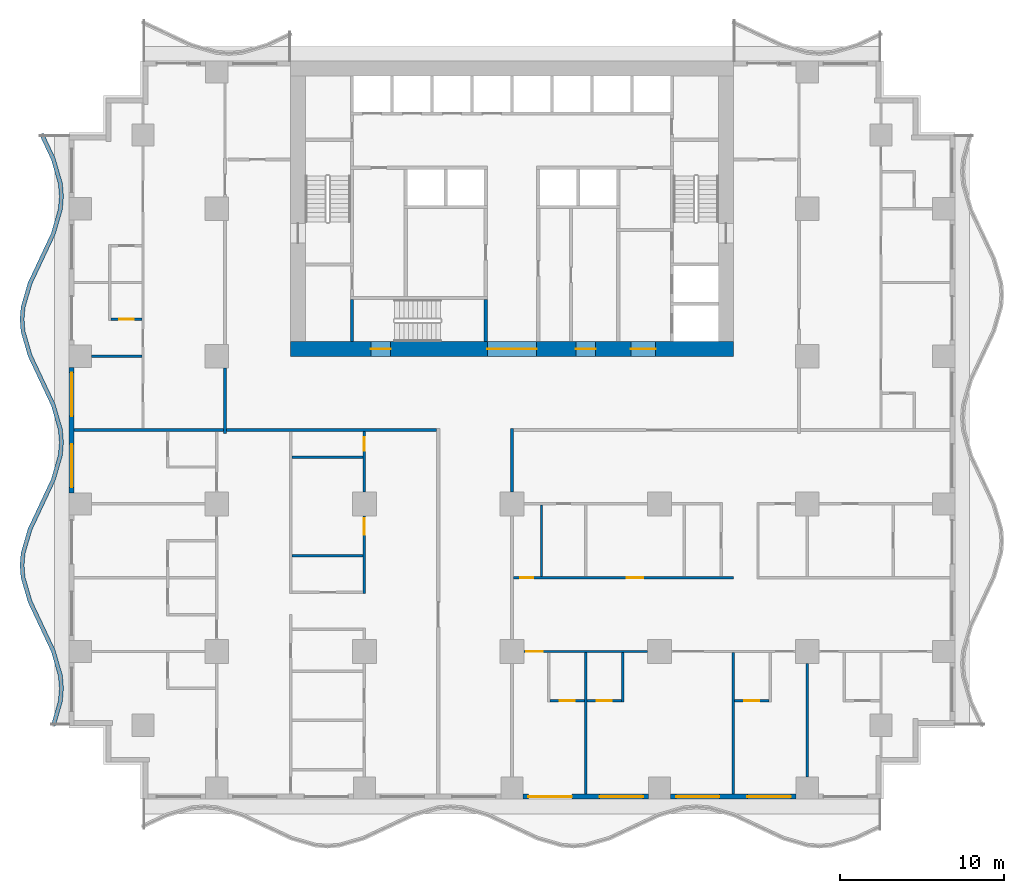
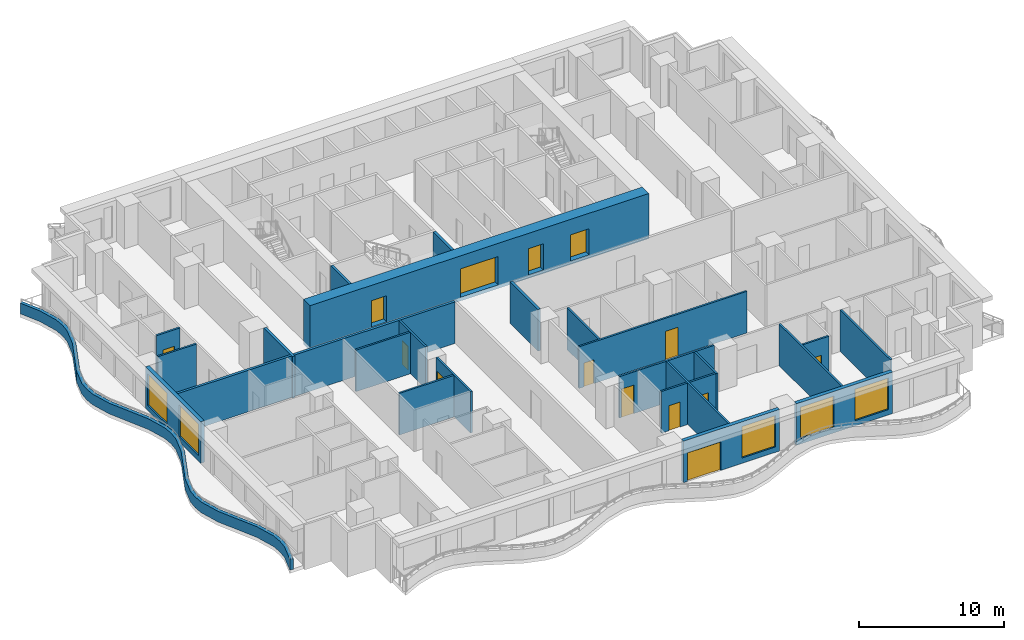
# One storey, part 3 of 14: 27 walls, 14 doors, 5 windows, 19 openings.
"""IFC4 building model written with IfcOpenShell, lengths in metres."""

from ifc_helpers import new_model, si_unit, direction, frame, frame_2d, origin, place, context, subcontext, project, spatial, polyline, rectangle, outline, extrude, material, layer, layer_set, type_object, element, fill, save


model = new_model("IFC4")

# Units and contexts
model_context = context("Model", 3, precision=1e-05, world=origin(), true_north=direction((0.0, 1.0)))
body_context = subcontext(model_context, "Body", "Model", "MODEL_VIEW")
ifc_project = project(units=[si_unit("LENGTHUNIT", "METRE"), si_unit("AREAUNIT", "SQUARE_METRE"), si_unit("VOLUMEUNIT", "CUBIC_METRE"), si_unit("PLANEANGLEUNIT", "RADIAN"), si_unit("MASSUNIT", "GRAM", prefix="KILO")], contexts=[model_context])

# Site, building, storey
site_placement = place(None, origin())
site = spatial("IfcSite", under=ifc_project, at=site_placement, CompositionType="ELEMENT")
building_placement = place(site_placement, origin())
building = spatial("IfcBuilding", under=site, at=building_placement, Name="Orbiselva Terraces", CompositionType="ELEMENT")
storey_placement = place(building_placement, frame((0.0, 0.0, 60.6)))
storey = spatial("IfcBuildingStorey", under=building, at=storey_placement, Name="L15", CompositionType="ELEMENT", Elevation=60.6)

# Wall, openings, doors
ifc_material_1 = material(Name="Concrete C80/95", Category="concrete")
ifc_layer_1 = layer(ifc_material_1, 0.9)
ifc_layer_set_1 = layer_set([ifc_layer_1], Name="Concrete C80/95")
wall_type_1 = type_object("IfcWallType", Name="CORE WALL 900", PredefinedType="SHEAR", material=ifc_layer_set_1)
wall_1_placement = place(storey_placement, frame((-13.5, 4.95, -0.3), z_axis=(0.0, 0.0, 1.0), x_axis=(1.0, 0.0, 0.0)))
wall_1 = element("IfcWall", 1, at=wall_1_placement, inside=storey, type_object=wall_type_1, Name="Core wall L15 south", PredefinedType="SHEAR", context=body_context, shape_type="SweptSolid", body=[
    extrude(rectangle(XDim=27.0, YDim=0.9, at=frame_2d((13.5, 0.0))), origin(), (0.0, 0.0, 1.0), 3.8),
])
opening_1_placement = place(wall_1_placement, frame((12.0, 0.0, 0.3)))
opening_1 = element("IfcOpeningElement", 2, at=opening_1_placement, cuts=wall_1, Name="Opening DL3000", PredefinedType="OPENING", context=body_context, shape_type="SweptSolid", body=[
    extrude(rectangle(XDim=3.0, YDim=2.4, at=frame_2d((1.5, 1.2))), frame((0.0, 0.46, 0.0), z_axis=(0.0, -1.0, 0.0), x_axis=(1.0, 0.0, 0.0)), (0.0, 0.0, 1.0), 0.92),
])
opening_2_placement = place(wall_1_placement, frame((4.9, 0.0, 0.3)))
opening_2 = element("IfcOpeningElement", 3, at=opening_2_placement, cuts=wall_1, Name="Opening DS1200", PredefinedType="OPENING", context=body_context, shape_type="SweptSolid", body=[
    extrude(rectangle(XDim=1.2, YDim=2.2, at=frame_2d((0.6, 1.1))), frame((0.0, 0.46, 0.0), z_axis=(0.0, -1.0, 0.0), x_axis=(1.0, 0.0, 0.0)), (0.0, 0.0, 1.0), 0.92),
])
opening_3_placement = place(wall_1_placement, frame((20.75, 0.0, 0.3)))
opening_3 = element("IfcOpeningElement", 4, at=opening_3_placement, cuts=wall_1, Name="Opening DF1500", PredefinedType="OPENING", context=body_context, shape_type="SweptSolid", body=[
    extrude(rectangle(XDim=1.5, YDim=2.2, at=frame_2d((0.75, 1.1))), frame((0.0, 0.46, 0.0), z_axis=(0.0, -1.0, 0.0), x_axis=(1.0, 0.0, 0.0)), (0.0, 0.0, 1.0), 0.92),
])
opening_4_placement = place(wall_1_placement, frame((17.4, 0.0, 0.3)))
opening_4 = element("IfcOpeningElement", 5, at=opening_4_placement, cuts=wall_1, Name="Opening DV1200", PredefinedType="OPENING", context=body_context, shape_type="SweptSolid", body=[
    extrude(rectangle(XDim=1.2, YDim=2.2, at=frame_2d((0.6, 1.1))), frame((0.0, 0.46, 0.0), z_axis=(0.0, -1.0, 0.0), x_axis=(1.0, 0.0, 0.0)), (0.0, 0.0, 1.0), 0.92),
])
ifc_material_2 = material(Name="Steel fire door", Category="steel")
door_type_1 = type_object("IfcDoorType", Name="FFL DOOR 1500", OperationType="DOUBLE_DOOR_SINGLE_SWING", PredefinedType="DOOR", material=ifc_material_2)
door_1_placement = place(opening_3_placement, frame((1.5, 0.0, 0.0), z_axis=(0.0, 0.0, 1.0), x_axis=(-1.0, 0.0, 0.0)))
door_1 = element("IfcDoor", 6, at=door_1_placement, inside=storey, type_object=door_type_1, Name="L15 FIRE-FIGHTING LOBBY door", OperationType="DOUBLE_DOOR_SINGLE_SWING", OverallHeight=2.2, OverallWidth=1.5, PredefinedType="DOOR", context=body_context, shape_type="SweptSolid", body=[
    extrude(rectangle(XDim=1.5, YDim=2.2, at=frame_2d((0.75, 1.1))), frame((0.0, 0.025, 0.0), z_axis=(0.0, -1.0, 0.0), x_axis=(1.0, 0.0, 0.0)), (0.0, 0.0, 1.0), 0.05),
])
fill(opening_3, door_1)
door_type_2 = type_object("IfcDoorType", Name="LOBBY DOOR 3000", OperationType="DOUBLE_DOOR_SINGLE_SWING", PredefinedType="DOOR", material=ifc_material_2)
door_2_placement = place(opening_1_placement, frame((3.0, 0.0, 0.0), z_axis=(0.0, 0.0, 1.0), x_axis=(-1.0, 0.0, 0.0)))
door_2 = element("IfcDoor", 7, at=door_2_placement, inside=storey, type_object=door_type_2, Name="L15 LIFT LOBBY door", OperationType="DOUBLE_DOOR_SINGLE_SWING", OverallHeight=2.4, OverallWidth=3.0, PredefinedType="DOOR", context=body_context, shape_type="SweptSolid", body=[
    extrude(rectangle(XDim=3.0, YDim=2.4, at=frame_2d((1.5, 1.2))), frame((0.0, 0.025, 0.0), z_axis=(0.0, -1.0, 0.0), x_axis=(1.0, 0.0, 0.0)), (0.0, 0.0, 1.0), 0.05),
])
fill(opening_1, door_2)
door_type_3 = type_object("IfcDoorType", Name="SERVICE DOOR 1200", OperationType="NOTDEFINED", PredefinedType="DOOR", material=ifc_material_2)
door_3_placement = place(opening_4_placement, frame((1.2, 0.0, 0.0), z_axis=(0.0, 0.0, 1.0), x_axis=(-1.0, 0.0, 0.0)))
door_3 = element("IfcDoor", 8, at=door_3_placement, inside=storey, type_object=door_type_3, Name="L15 SERVICE ROOM door", OperationType="SINGLE_SWING_RIGHT", OverallHeight=2.2, OverallWidth=1.2, PredefinedType="DOOR", context=body_context, shape_type="SweptSolid", body=[
    extrude(rectangle(XDim=1.2, YDim=2.2, at=frame_2d((0.6, 1.1))), frame((0.0, 0.025, 0.0), z_axis=(0.0, -1.0, 0.0), x_axis=(1.0, 0.0, 0.0)), (0.0, 0.0, 1.0), 0.05),
])
fill(opening_4, door_3)
door_type_4 = type_object("IfcDoorType", Name="STAIR DOOR 1200", OperationType="NOTDEFINED", PredefinedType="DOOR", material=ifc_material_2)
door_4_placement = place(opening_2_placement, frame((1.2, 0.0, 0.0), z_axis=(0.0, 0.0, 1.0), x_axis=(-1.0, 0.0, 0.0)))
door_4 = element("IfcDoor", 9, at=door_4_placement, inside=storey, type_object=door_type_4, Name="L15 EXIT STAIR S3 door", OperationType="SINGLE_SWING_LEFT", OverallHeight=2.2, OverallWidth=1.2, PredefinedType="DOOR", context=body_context, shape_type="SweptSolid", body=[
    extrude(rectangle(XDim=1.2, YDim=2.2, at=frame_2d((0.6, 1.1))), frame((0.0, 0.025, 0.0), z_axis=(0.0, -1.0, 0.0), x_axis=(1.0, 0.0, 0.0)), (0.0, 0.0, 1.0), 0.05),
])
fill(opening_2, door_4)

# Walls
ifc_material_3 = material(Name="Concrete C60/75", Category="concrete")
ifc_layer_2 = layer(ifc_material_3, 0.2)
ifc_layer_set_2 = layer_set([ifc_layer_2], Name="Concrete C60/75")
wall_type_2 = type_object("IfcWallType", Name="CORE-WALL-SHEAR-200", PredefinedType="SHEAR", material=ifc_layer_set_2)
for number, where, z_axis, x_axis, name in (
    (10, (-9.75, 5.4, 0.0), (0.0, 0.0, 1.0), (0.0, 1.0, 0.0), "L15 core wall 03"),
    (11, (-1.6, 5.4, 0.0), (0.0, 0.0, 1.0), (0.0, 1.0, 0.0), "L15 core wall 19"),
):
    element("IfcWall", number, at=place(storey_placement, frame(where, z_axis=z_axis, x_axis=x_axis)), inside=storey, type_object=wall_type_2, Name=name, PredefinedType="SHEAR", context=body_context, shape_type="SweptSolid", body=[
        extrude(rectangle(XDim=2.55, YDim=0.2, at=frame_2d((1.275, 0.0))), origin(), (0.0, 0.0, 1.0), 3.5),
    ])
ifc_material_4 = material(Name="Concrete C40/50", Category="concrete")
ifc_layer_3 = layer(ifc_material_4, 0.25)
ifc_layer_set_3 = layer_set([ifc_layer_3], Name="Concrete C40/50")
wall_type_3 = type_object("IfcWallType", Name="ENV-PLANTER-250x900", PredefinedType="USERDEFINED", material=ifc_layer_set_3)
wall_2_placement = place(storey_placement, origin())
element("IfcWall", 12, at=wall_2_placement, inside=storey, type_object=wall_type_3, Name="Balcony planter L15 W", ObjectType="PLANTER", PredefinedType="USERDEFINED", context=body_context, shape_type="SweptSolid", body=[
    extrude(outline(polyline([(-28.8, 18.0), (-28.094658, 16.5), (-27.658732, 15.0), (-27.6, 14.25), (-27.658732, 13.5), (-28.094658, 12.0), (-28.8, 10.5), (-29.505342, 9.0), (-29.941268, 7.5), (-30.0, 6.75), (-29.941268, 6.0), (-29.505342, 4.5), (-28.8, 3.0), (-28.094658, 1.5), (-27.658732, 0.0), (-27.6, -0.75), (-27.658732, -1.5), (-28.094658, -3.0), (-28.8, -4.5), (-29.505342, -6.0), (-29.941268, -7.5), (-30.0, -8.25), (-29.941268, -9.0), (-29.505342, -10.5), (-28.8, -12.0), (-28.094658, -13.5), (-27.658732, -15.0), (-27.6, -15.75), (-27.658732, -16.5), (-28.094658, -18.0), (-27.85459, -18.069768), (-27.411499, -16.545114), (-27.349235, -15.75), (-27.411499, -14.954886), (-27.860069, -13.411382), (-28.573764, -11.893617), (-29.270753, -10.411382), (-29.694035, -8.954886), (-29.749235, -8.25), (-29.694035, -7.545114), (-29.270753, -6.088618), (-28.573764, -4.606383), (-27.860069, -3.088618), (-27.411499, -1.545114), (-27.349235, -0.75), (-27.411499, 0.045114), (-27.860069, 1.588618), (-28.573764, 3.106383), (-29.270753, 4.588618), (-29.694035, 6.045114), (-29.749235, 6.75), (-29.694035, 7.454886), (-29.270753, 8.911382), (-28.573764, 10.393617), (-27.860069, 11.911382), (-27.411499, 13.454886), (-27.349235, 14.25), (-27.411499, 15.045114), (-27.860069, 16.588618), (-28.573764, 18.106383), (-28.8, 18.0)])), origin(), (0.0, 0.0, 1.0), 0.9),
])

# Wall, openings, door, window
ifc_material_5 = material(Name="Terracotta cladding on masonry backing", Category="masonry")
ifc_layer_4 = layer(ifc_material_5, 0.3)
ifc_layer_set_4 = layer_set([ifc_layer_4], Name="Terracotta cladding on masonry backing")
wall_type_4 = type_object("IfcWallType", Name="ENV-WALL-TERRACOTTA-300", PredefinedType="SOLIDWALL", material=ifc_layer_set_4)
wall_3_placement = place(storey_placement, frame((8.325, -22.35, 0.0), z_axis=(0.0, 0.0, 1.0), x_axis=(-1.0, 0.0, 0.0)))
wall_3 = element("IfcWall", 13, at=wall_3_placement, inside=storey, type_object=wall_type_4, Name="Facade wall L15 S", PredefinedType="SOLIDWALL", context=body_context, shape_type="SweptSolid", body=[
    extrude(rectangle(XDim=7.65, YDim=0.3, at=frame_2d((3.825, 0.0))), origin(), (0.0, 0.0, 1.0), 3.5),
])
opening_5_placement = place(wall_3_placement, frame((4.675, 0.0, 0.0)))
opening_5 = element("IfcOpeningElement", 14, at=opening_5_placement, cuts=wall_3, Name="Opening Z1-E-E13", PredefinedType="OPENING", context=body_context, shape_type="SweptSolid", body=[
    extrude(rectangle(XDim=2.65, YDim=2.4, at=frame_2d((1.325, 1.2))), frame((0.0, 0.16, 0.0), z_axis=(0.0, -1.0, 0.0), x_axis=(1.0, 0.0, 0.0)), (0.0, 0.0, 1.0), 0.32),
])
opening_6_placement = place(wall_3_placement, frame((0.325, 0.0, 0.45)))
opening_6 = element("IfcOpeningElement", 15, at=opening_6_placement, cuts=wall_3, Name="Opening WN3", PredefinedType="OPENING", context=body_context, shape_type="SweptSolid", body=[
    extrude(rectangle(XDim=2.65, YDim=2.65, at=frame_2d((1.325, 1.325))), frame((0.0, 0.16, 0.0), z_axis=(0.0, -1.0, 0.0), x_axis=(1.0, 0.0, 0.0)), (0.0, 0.0, 1.0), 0.32),
])
ifc_material_6 = material(Name="Clear low-e glazing in aluminium frame", Category="aluminium")
door_type_5 = type_object("IfcDoorType", Name="BALCONY DOOR 2650 X 2400", OperationType="DOUBLE_DOOR_SLIDING", PredefinedType="DOOR", material=ifc_material_6)
door_5_placement = place(opening_5_placement, origin())
door_5 = element("IfcDoor", 16, at=door_5_placement, inside=storey, type_object=door_type_5, Name="Z1-E-E13", OperationType="SINGLE_SWING_LEFT", OverallHeight=2.4, OverallWidth=2.65, PredefinedType="DOOR", context=body_context, shape_type="SweptSolid", body=[
    extrude(rectangle(XDim=2.65, YDim=2.4, at=frame_2d((1.325, 1.2))), frame((0.0, 0.025, 0.0), z_axis=(0.0, -1.0, 0.0), x_axis=(1.0, 0.0, 0.0)), (0.0, 0.0, 1.0), 0.05),
])
fill(opening_5, door_5)
window_type = type_object("IfcWindowType", Name="WINDOW 2650 X 2650 S450", PartitioningType="TRIPLE_PANEL_VERTICAL", PredefinedType="WINDOW", material=ifc_material_6)
window_1_placement = place(opening_6_placement, origin())
window_1 = element("IfcWindow", 17, at=window_1_placement, inside=storey, type_object=window_type, Name="Window L15 S", OverallHeight=2.65, OverallWidth=2.65, PartitioningType="SINGLE_PANEL", PredefinedType="WINDOW", context=body_context, shape_type="SweptSolid", body=[
    extrude(rectangle(XDim=2.65, YDim=2.65, at=frame_2d((1.325, 1.325))), frame((0.0, 0.03, 0.0), z_axis=(0.0, -1.0, 0.0), x_axis=(1.0, 0.0, 0.0)), (0.0, 0.0, 1.0), 0.06),
])
fill(opening_6, window_1)

# Wall, openings, windows
wall_4_placement = place(storey_placement, frame((17.325, -22.35, 0.0), z_axis=(0.0, 0.0, 1.0), x_axis=(-1.0, 0.0, 0.0)))
wall_4 = element("IfcWall", 18, at=wall_4_placement, inside=storey, type_object=wall_type_4, Name="Facade wall L15 S", PredefinedType="SOLIDWALL", context=body_context, shape_type="SweptSolid", body=[
    extrude(rectangle(XDim=7.65, YDim=0.3, at=frame_2d((3.825, 0.0))), origin(), (0.0, 0.0, 1.0), 3.5),
])
opening_7_placement = place(wall_4_placement, frame((4.675, 0.0, 0.45)))
opening_7 = element("IfcOpeningElement", 19, at=opening_7_placement, cuts=wall_4, Name="Opening WN3", PredefinedType="OPENING", context=body_context, shape_type="SweptSolid", body=[
    extrude(rectangle(XDim=2.65, YDim=2.65, at=frame_2d((1.325, 1.325))), frame((0.0, 0.16, 0.0), z_axis=(0.0, -1.0, 0.0), x_axis=(1.0, 0.0, 0.0)), (0.0, 0.0, 1.0), 0.32),
])
opening_8_placement = place(wall_4_placement, frame((0.325, 0.0, 0.45)))
opening_8 = element("IfcOpeningElement", 20, at=opening_8_placement, cuts=wall_4, Name="Opening WN3", PredefinedType="OPENING", context=body_context, shape_type="SweptSolid", body=[
    extrude(rectangle(XDim=2.65, YDim=2.65, at=frame_2d((1.325, 1.325))), frame((0.0, 0.16, 0.0), z_axis=(0.0, -1.0, 0.0), x_axis=(1.0, 0.0, 0.0)), (0.0, 0.0, 1.0), 0.32),
])
window_2_placement = place(opening_7_placement, origin())
window_2 = element("IfcWindow", 21, at=window_2_placement, inside=storey, type_object=window_type, Name="Window L15 S", OverallHeight=2.65, OverallWidth=2.65, PartitioningType="SINGLE_PANEL", PredefinedType="WINDOW", context=body_context, shape_type="SweptSolid", body=[
    extrude(rectangle(XDim=2.65, YDim=2.65, at=frame_2d((1.325, 1.325))), frame((0.0, 0.03, 0.0), z_axis=(0.0, -1.0, 0.0), x_axis=(1.0, 0.0, 0.0)), (0.0, 0.0, 1.0), 0.06),
])
fill(opening_7, window_2)
window_3_placement = place(opening_8_placement, origin())
window_3 = element("IfcWindow", 22, at=window_3_placement, inside=storey, type_object=window_type, Name="Window L15 S", OverallHeight=2.65, OverallWidth=2.65, PartitioningType="SINGLE_PANEL", PredefinedType="WINDOW", context=body_context, shape_type="SweptSolid", body=[
    extrude(rectangle(XDim=2.65, YDim=2.65, at=frame_2d((1.325, 1.325))), frame((0.0, 0.03, 0.0), z_axis=(0.0, -1.0, 0.0), x_axis=(1.0, 0.0, 0.0)), (0.0, 0.0, 1.0), 0.06),
])
fill(opening_8, window_3)

wall_5_placement = place(storey_placement, frame((-26.85, -3.825, 0.0), z_axis=(0.0, 0.0, 1.0), x_axis=(0.0, 1.0, 0.0)))
wall_5 = element("IfcWall", 23, at=wall_5_placement, inside=storey, type_object=wall_type_4, Name="Facade wall L15 W", PredefinedType="SOLIDWALL", context=body_context, shape_type="SweptSolid", body=[
    extrude(rectangle(XDim=7.65, YDim=0.3, at=frame_2d((3.825, 0.0))), origin(), (0.0, 0.0, 1.0), 3.5),
])
opening_9_placement = place(wall_5_placement, frame((4.675, 0.0, 0.45)))
opening_9 = element("IfcOpeningElement", 24, at=opening_9_placement, cuts=wall_5, Name="Opening WN3", PredefinedType="OPENING", context=body_context, shape_type="SweptSolid", body=[
    extrude(rectangle(XDim=2.65, YDim=2.65, at=frame_2d((1.325, 1.325))), frame((0.0, 0.16, 0.0), z_axis=(0.0, -1.0, 0.0), x_axis=(1.0, 0.0, 0.0)), (0.0, 0.0, 1.0), 0.32),
])
opening_10_placement = place(wall_5_placement, frame((0.325, 0.0, 0.45)))
opening_10 = element("IfcOpeningElement", 25, at=opening_10_placement, cuts=wall_5, Name="Opening WN3", PredefinedType="OPENING", context=body_context, shape_type="SweptSolid", body=[
    extrude(rectangle(XDim=2.65, YDim=2.65, at=frame_2d((1.325, 1.325))), frame((0.0, 0.16, 0.0), z_axis=(0.0, -1.0, 0.0), x_axis=(1.0, 0.0, 0.0)), (0.0, 0.0, 1.0), 0.32),
])
window_4_placement = place(opening_9_placement, origin())
window_4 = element("IfcWindow", 26, at=window_4_placement, inside=storey, type_object=window_type, Name="Window L15 W", OverallHeight=2.65, OverallWidth=2.65, PartitioningType="SINGLE_PANEL", PredefinedType="WINDOW", context=body_context, shape_type="SweptSolid", body=[
    extrude(rectangle(XDim=2.65, YDim=2.65, at=frame_2d((1.325, 1.325))), frame((0.0, 0.03, 0.0), z_axis=(0.0, -1.0, 0.0), x_axis=(1.0, 0.0, 0.0)), (0.0, 0.0, 1.0), 0.06),
])
fill(opening_9, window_4)
window_5_placement = place(opening_10_placement, origin())
window_5 = element("IfcWindow", 27, at=window_5_placement, inside=storey, type_object=window_type, Name="Window L15 W", OverallHeight=2.65, OverallWidth=2.65, PartitioningType="SINGLE_PANEL", PredefinedType="WINDOW", context=body_context, shape_type="SweptSolid", body=[
    extrude(rectangle(XDim=2.65, YDim=2.65, at=frame_2d((1.325, 1.325))), frame((0.0, 0.03, 0.0), z_axis=(0.0, -1.0, 0.0), x_axis=(1.0, 0.0, 0.0)), (0.0, 0.0, 1.0), 0.06),
])
fill(opening_10, window_5)

# Walls
ifc_material_7 = material(Name="Plasterboard on steel stud partition", Category="steel")
ifc_layer_5 = layer(ifc_material_7, 0.2)
ifc_layer_set_5 = layer_set([ifc_layer_5], Name="Plasterboard on steel stud partition")
wall_type_5 = type_object("IfcWallType", Name="UNIT-ENTRANCE-WALL-200", PredefinedType="PARTITIONING", material=ifc_layer_set_5)
wall_6_placement = place(storey_placement, frame((-17.4, 0.0, 0.0), z_axis=(0.0, 0.0, 1.0), x_axis=(1.0, 0.0, 0.0)))
element("IfcWall", 28, at=wall_6_placement, inside=storey, type_object=wall_type_5, Name="PARTITION L15-029", PredefinedType="PARTITIONING", context=body_context, shape_type="SweptSolid", body=[
    extrude(rectangle(XDim=12.8, YDim=0.2, at=frame_2d((6.4, 0.0))), origin(), (0.0, 0.0, 1.0), 3.5),
])
wall_7_placement = place(storey_placement, frame((-17.5, -0.2, 0.0), z_axis=(0.0, 0.0, 1.0), x_axis=(0.0, 1.0, 0.0)))
element("IfcWall", 29, at=wall_7_placement, inside=storey, type_object=wall_type_5, Name="PARTITION L15-053", PredefinedType="PARTITIONING", context=body_context, shape_type="SweptSolid", body=[
    extrude(rectangle(XDim=3.975, YDim=0.2, at=frame_2d((1.9875, 0.0))), origin(), (0.0, 0.0, 1.0), 3.5),
])
wall_8_placement = place(storey_placement, frame((0.0, -3.775, 0.0), z_axis=(0.0, 0.0, 1.0), x_axis=(0.0, 1.0, 0.0)))
element("IfcWall", 30, at=wall_8_placement, inside=storey, type_object=wall_type_5, Name="PARTITION L15-066", PredefinedType="PARTITIONING", context=body_context, shape_type="SweptSolid", body=[
    extrude(rectangle(XDim=3.875, YDim=0.2, at=frame_2d((1.9375, 0.0))), origin(), (0.0, 0.0, 1.0), 3.5),
])

# Wall, opening, door
ifc_layer_6 = layer(ifc_material_7, 0.15)
ifc_layer_set_6 = layer_set([ifc_layer_6], Name="Plasterboard on steel stud partition")
wall_type_6 = type_object("IfcWallType", Name="UNIT-PARTITION-150", PredefinedType="PARTITIONING", material=ifc_layer_set_6)
wall_9_placement = place(storey_placement, frame((2.325, -16.5, 0.0), z_axis=(0.0, 0.0, 1.0), x_axis=(1.0, 0.0, 0.0)))
wall_9 = element("IfcWall", 31, at=wall_9_placement, inside=storey, type_object=wall_type_6, Name="PARTITION L15-003", PredefinedType="PARTITIONING", context=body_context, shape_type="SweptSolid", body=[
    extrude(rectangle(XDim=2.1, YDim=0.15, at=frame_2d((1.05, 0.0))), origin(), (0.0, 0.0, 1.0), 3.5),
])
opening_11_placement = place(wall_9_placement, frame((0.6, 0.0, 0.0)))
opening_11 = element("IfcOpeningElement", 32, at=opening_11_placement, cuts=wall_9, Name="Opening Z1-E-40", PredefinedType="OPENING", context=body_context, shape_type="SweptSolid", body=[
    extrude(rectangle(XDim=0.9, YDim=2.1, at=frame_2d((0.45, 1.05))), frame((0.0, 0.085, 0.0), z_axis=(0.0, -1.0, 0.0), x_axis=(1.0, 0.0, 0.0)), (0.0, 0.0, 1.0), 0.17),
])
ifc_material_8 = material(Name="Painted timber door leaf", Category="wood")
door_type_6 = type_object("IfcDoorType", Name="BATH DOOR 900", OperationType="NOTDEFINED", PredefinedType="DOOR", material=ifc_material_8)
door_6_placement = place(opening_11_placement, origin())
door_6 = element("IfcDoor", 33, at=door_6_placement, inside=storey, type_object=door_type_6, Name="Z1-E-40", OperationType="SINGLE_SWING_RIGHT", OverallHeight=2.1, OverallWidth=0.9, PredefinedType="DOOR", context=body_context, shape_type="SweptSolid", body=[
    extrude(rectangle(XDim=0.9, YDim=2.1, at=frame_2d((0.45, 1.05))), frame((0.0, 0.025, 0.0), z_axis=(0.0, -1.0, 0.0), x_axis=(1.0, 0.0, 0.0)), (0.0, 0.0, 1.0), 0.05),
])
fill(opening_11, door_6)

wall_10_placement = place(storey_placement, frame((4.575, -16.5, 0.0), z_axis=(0.0, 0.0, 1.0), x_axis=(1.0, 0.0, 0.0)))
wall_10 = element("IfcWall", 34, at=wall_10_placement, inside=storey, type_object=wall_type_6, Name="PARTITION L15-004", PredefinedType="PARTITIONING", context=body_context, shape_type="SweptSolid", body=[
    extrude(rectangle(XDim=2.1, YDim=0.15, at=frame_2d((1.05, 0.0))), origin(), (0.0, 0.0, 1.0), 3.5),
])
opening_12_placement = place(wall_10_placement, frame((0.6, 0.0, 0.0)))
opening_12 = element("IfcOpeningElement", 35, at=opening_12_placement, cuts=wall_10, Name="Opening Z1-E-42", PredefinedType="OPENING", context=body_context, shape_type="SweptSolid", body=[
    extrude(rectangle(XDim=0.9, YDim=2.1, at=frame_2d((0.45, 1.05))), frame((0.0, 0.085, 0.0), z_axis=(0.0, -1.0, 0.0), x_axis=(1.0, 0.0, 0.0)), (0.0, 0.0, 1.0), 0.17),
])
door_7_placement = place(opening_12_placement, origin())
door_7 = element("IfcDoor", 36, at=door_7_placement, inside=storey, type_object=door_type_6, Name="Z1-E-42", OperationType="SINGLE_SWING_LEFT", OverallHeight=2.1, OverallWidth=0.9, PredefinedType="DOOR", context=body_context, shape_type="SweptSolid", body=[
    extrude(rectangle(XDim=0.9, YDim=2.1, at=frame_2d((0.45, 1.05))), frame((0.0, 0.025, 0.0), z_axis=(0.0, -1.0, 0.0), x_axis=(1.0, 0.0, 0.0)), (0.0, 0.0, 1.0), 0.05),
])
fill(opening_12, door_7)

wall_11_placement = place(storey_placement, frame((13.575, -16.5, 0.0), z_axis=(0.0, 0.0, 1.0), x_axis=(1.0, 0.0, 0.0)))
wall_11 = element("IfcWall", 37, at=wall_11_placement, inside=storey, type_object=wall_type_6, Name="PARTITION L15-005", PredefinedType="PARTITIONING", context=body_context, shape_type="SweptSolid", body=[
    extrude(rectangle(XDim=2.1, YDim=0.15, at=frame_2d((1.05, 0.0))), origin(), (0.0, 0.0, 1.0), 3.5),
])
opening_13_placement = place(wall_11_placement, frame((0.6, 0.0, 0.0)))
opening_13 = element("IfcOpeningElement", 38, at=opening_13_placement, cuts=wall_11, Name="Opening Z1-E-44", PredefinedType="OPENING", context=body_context, shape_type="SweptSolid", body=[
    extrude(rectangle(XDim=0.9, YDim=2.1, at=frame_2d((0.45, 1.05))), frame((0.0, 0.085, 0.0), z_axis=(0.0, -1.0, 0.0), x_axis=(1.0, 0.0, 0.0)), (0.0, 0.0, 1.0), 0.17),
])
door_8_placement = place(opening_13_placement, origin())
door_8 = element("IfcDoor", 39, at=door_8_placement, inside=storey, type_object=door_type_6, Name="Z1-E-44", OperationType="SINGLE_SWING_LEFT", OverallHeight=2.1, OverallWidth=0.9, PredefinedType="DOOR", context=body_context, shape_type="SweptSolid", body=[
    extrude(rectangle(XDim=0.9, YDim=2.1, at=frame_2d((0.45, 1.05))), frame((0.0, 0.025, 0.0), z_axis=(0.0, -1.0, 0.0), x_axis=(1.0, 0.0, 0.0)), (0.0, 0.0, 1.0), 0.05),
])
fill(opening_13, door_8)

wall_12_placement = place(storey_placement, frame((8.275, -13.5, 0.0), z_axis=(0.0, 0.0, 1.0), x_axis=(-1.0, 0.0, 0.0)))
wall_12 = element("IfcWall", 40, at=wall_12_placement, inside=storey, type_object=wall_type_6, Name="PARTITION L15-010", PredefinedType="PARTITIONING", context=body_context, shape_type="SweptSolid", body=[
    extrude(rectangle(XDim=7.55, YDim=0.15, at=frame_2d((3.775, 0.0))), origin(), (0.0, 0.0, 1.0), 3.5),
])
opening_14_placement = place(wall_12_placement, frame((6.4, 0.0, 0.0)))
opening_14 = element("IfcOpeningElement", 41, at=opening_14_placement, cuts=wall_12, Name="Opening Z1-E-39", PredefinedType="OPENING", context=body_context, shape_type="SweptSolid", body=[
    extrude(rectangle(XDim=1.0, YDim=2.4, at=frame_2d((0.5, 1.2))), frame((0.0, 0.085, 0.0), z_axis=(0.0, -1.0, 0.0), x_axis=(1.0, 0.0, 0.0)), (0.0, 0.0, 1.0), 0.17),
])
door_type_7 = type_object("IfcDoorType", Name="ROOM DOOR 1000", OperationType="NOTDEFINED", PredefinedType="DOOR", material=ifc_material_8)
door_9_placement = place(opening_14_placement, origin())
door_9 = element("IfcDoor", 42, at=door_9_placement, inside=storey, type_object=door_type_7, Name="Z1-E-39", OperationType="SINGLE_SWING_RIGHT", OverallHeight=2.4, OverallWidth=1.0, PredefinedType="DOOR", context=body_context, shape_type="SweptSolid", body=[
    extrude(rectangle(XDim=1.0, YDim=2.4, at=frame_2d((0.5, 1.2))), frame((0.0, 0.025, 0.0), z_axis=(0.0, -1.0, 0.0), x_axis=(1.0, 0.0, 0.0)), (0.0, 0.0, 1.0), 0.05),
])
fill(opening_14, door_9)

# Wall, openings, doors
wall_13_placement = place(storey_placement, frame((0.1, -9.0, 0.0), z_axis=(0.0, 0.0, 1.0), x_axis=(1.0, 0.0, 0.0)))
wall_13 = element("IfcWall", 43, at=wall_13_placement, inside=storey, type_object=wall_type_6, Name="PARTITION L15-018", PredefinedType="PARTITIONING", context=body_context, shape_type="SweptSolid", body=[
    extrude(rectangle(XDim=13.4, YDim=0.15, at=frame_2d((6.7, 0.0))), origin(), (0.0, 0.0, 1.0), 3.5),
])
opening_15_placement = place(wall_13_placement, frame((0.4, 0.0, 0.0)))
opening_15 = element("IfcOpeningElement", 44, at=opening_15_placement, cuts=wall_13, Name="Opening Z1-E-32", PredefinedType="OPENING", context=body_context, shape_type="SweptSolid", body=[
    extrude(rectangle(XDim=0.8, YDim=2.0, at=frame_2d((0.4, 1.0))), frame((0.0, 0.085, 0.0), z_axis=(0.0, -1.0, 0.0), x_axis=(1.0, 0.0, 0.0)), (0.0, 0.0, 1.0), 0.17),
])
opening_16_placement = place(wall_13_placement, frame((6.9, 0.0, 0.0)))
opening_16 = element("IfcOpeningElement", 45, at=opening_16_placement, cuts=wall_13, Name="Opening Z1-E-34", PredefinedType="OPENING", context=body_context, shape_type="SweptSolid", body=[
    extrude(rectangle(XDim=1.0, YDim=2.4, at=frame_2d((0.5, 1.2))), frame((0.0, 0.085, 0.0), z_axis=(0.0, -1.0, 0.0), x_axis=(1.0, 0.0, 0.0)), (0.0, 0.0, 1.0), 0.17),
])
door_10_placement = place(opening_16_placement, origin())
door_10 = element("IfcDoor", 46, at=door_10_placement, inside=storey, type_object=door_type_7, Name="Z1-E-34", OperationType="SINGLE_SWING_RIGHT", OverallHeight=2.4, OverallWidth=1.0, PredefinedType="DOOR", context=body_context, shape_type="SweptSolid", body=[
    extrude(rectangle(XDim=1.0, YDim=2.4, at=frame_2d((0.5, 1.2))), frame((0.0, 0.025, 0.0), z_axis=(0.0, -1.0, 0.0), x_axis=(1.0, 0.0, 0.0)), (0.0, 0.0, 1.0), 0.05),
])
fill(opening_16, door_10)
door_type_8 = type_object("IfcDoorType", Name="STORE DOOR 800", OperationType="NOTDEFINED", PredefinedType="DOOR", material=ifc_material_8)
door_11_placement = place(opening_15_placement, origin())
door_11 = element("IfcDoor", 47, at=door_11_placement, inside=storey, type_object=door_type_8, Name="Z1-E-32", OperationType="SINGLE_SWING_LEFT", OverallHeight=2.0, OverallWidth=0.8, PredefinedType="DOOR", context=body_context, shape_type="SweptSolid", body=[
    extrude(rectangle(XDim=0.8, YDim=2.0, at=frame_2d((0.4, 1.0))), frame((0.0, 0.025, 0.0), z_axis=(0.0, -1.0, 0.0), x_axis=(1.0, 0.0, 0.0)), (0.0, 0.0, 1.0), 0.05),
])
fill(opening_15, door_11)

# Walls
for number, where, z_axis, x_axis, name in (
    (48, (-13.425, -7.65, 0.0), (0.0, 0.0, 1.0), (1.0, 0.0, 0.0), "PARTITION L15-020"),
    (49, (-13.425, -1.65, 0.0), (0.0, 0.0, 1.0), (1.0, 0.0, 0.0), "PARTITION L15-028"),
):
    element("IfcWall", number, at=place(storey_placement, frame(where, z_axis=z_axis, x_axis=x_axis)), inside=storey, type_object=wall_type_6, Name=name, PredefinedType="PARTITIONING", context=body_context, shape_type="SweptSolid", body=[
        extrude(rectangle(XDim=4.35, YDim=0.15, at=frame_2d((2.175, 0.0))), origin(), (0.0, 0.0, 1.0), 3.5),
    ])
wall_14_placement = place(storey_placement, frame((-25.65, 4.5, 0.0), z_axis=(0.0, 0.0, 1.0), x_axis=(1.0, 0.0, 0.0)))
element("IfcWall", 50, at=wall_14_placement, inside=storey, type_object=wall_type_6, Name="PARTITION L15-034", PredefinedType="PARTITIONING", context=body_context, shape_type="SweptSolid", body=[
    extrude(rectangle(XDim=3.075, YDim=0.15, at=frame_2d((1.5375, 0.0))), origin(), (0.0, 0.0, 1.0), 3.5),
])

# Wall, opening, door
wall_15_placement = place(storey_placement, frame((-24.45, 6.75, 0.0), z_axis=(0.0, 0.0, 1.0), x_axis=(1.0, 0.0, 0.0)))
wall_15 = element("IfcWall", 51, at=wall_15_placement, inside=storey, type_object=wall_type_6, Name="PARTITION L15-035", PredefinedType="PARTITIONING", context=body_context, shape_type="SweptSolid", body=[
    extrude(rectangle(XDim=1.875, YDim=0.15, at=frame_2d((0.9375, 0.0))), origin(), (0.0, 0.0, 1.0), 3.5),
])
opening_17_placement = place(wall_15_placement, frame((0.5, 0.0, 0.0)))
opening_17 = element("IfcOpeningElement", 52, at=opening_17_placement, cuts=wall_15, Name="Opening Z1-E-06", PredefinedType="OPENING", context=body_context, shape_type="SweptSolid", body=[
    extrude(rectangle(XDim=0.9, YDim=2.1, at=frame_2d((0.45, 1.05))), frame((0.0, 0.085, 0.0), z_axis=(0.0, -1.0, 0.0), x_axis=(1.0, 0.0, 0.0)), (0.0, 0.0, 1.0), 0.17),
])
door_12_placement = place(opening_17_placement, origin())
door_12 = element("IfcDoor", 53, at=door_12_placement, inside=storey, type_object=door_type_6, Name="Z1-E-06", OperationType="SINGLE_SWING_RIGHT", OverallHeight=2.1, OverallWidth=0.9, PredefinedType="DOOR", context=body_context, shape_type="SweptSolid", body=[
    extrude(rectangle(XDim=0.9, YDim=2.1, at=frame_2d((0.45, 1.05))), frame((0.0, 0.025, 0.0), z_axis=(0.0, -1.0, 0.0), x_axis=(1.0, 0.0, 0.0)), (0.0, 0.0, 1.0), 0.05),
])
fill(opening_17, door_12)

wall_16_placement = place(storey_placement, frame((-9.0, -9.975, 0.0), z_axis=(0.0, 0.0, 1.0), x_axis=(0.0, 1.0, 0.0)))
wall_16 = element("IfcWall", 54, at=wall_16_placement, inside=storey, type_object=wall_type_6, Name="PARTITION L15-061", PredefinedType="PARTITIONING", context=body_context, shape_type="SweptSolid", body=[
    extrude(rectangle(XDim=4.75, YDim=0.15, at=frame_2d((2.375, 0.0))), origin(), (0.0, 0.0, 1.0), 3.5),
])
opening_18_placement = place(wall_16_placement, frame((3.6, 0.0, 0.0)))
opening_18 = element("IfcOpeningElement", 55, at=opening_18_placement, cuts=wall_16, Name="Opening Z1-E-17", PredefinedType="OPENING", context=body_context, shape_type="SweptSolid", body=[
    extrude(rectangle(XDim=1.0, YDim=2.4, at=frame_2d((0.5, 1.2))), frame((0.0, 0.085, 0.0), z_axis=(0.0, -1.0, 0.0), x_axis=(1.0, 0.0, 0.0)), (0.0, 0.0, 1.0), 0.17),
])
door_13_placement = place(opening_18_placement, origin())
door_13 = element("IfcDoor", 56, at=door_13_placement, inside=storey, type_object=door_type_7, Name="Z1-E-17", OperationType="SINGLE_SWING_RIGHT", OverallHeight=2.4, OverallWidth=1.0, PredefinedType="DOOR", context=body_context, shape_type="SweptSolid", body=[
    extrude(rectangle(XDim=1.0, YDim=2.4, at=frame_2d((0.5, 1.2))), frame((0.0, 0.025, 0.0), z_axis=(0.0, -1.0, 0.0), x_axis=(1.0, 0.0, 0.0)), (0.0, 0.0, 1.0), 0.05),
])
fill(opening_18, door_13)

wall_17_placement = place(storey_placement, frame((-9.0, -3.775, 0.0), z_axis=(0.0, 0.0, 1.0), x_axis=(0.0, 1.0, 0.0)))
wall_17 = element("IfcWall", 57, at=wall_17_placement, inside=storey, type_object=wall_type_6, Name="PARTITION L15-062", PredefinedType="PARTITIONING", context=body_context, shape_type="SweptSolid", body=[
    extrude(rectangle(XDim=3.675, YDim=0.15, at=frame_2d((1.8375, 0.0))), origin(), (0.0, 0.0, 1.0), 3.5),
])
opening_19_placement = place(wall_17_placement, frame((2.525, 0.0, 0.0)))
opening_19 = element("IfcOpeningElement", 58, at=opening_19_placement, cuts=wall_17, Name="Opening Z1-E-16", PredefinedType="OPENING", context=body_context, shape_type="SweptSolid", body=[
    extrude(rectangle(XDim=0.8, YDim=2.0, at=frame_2d((0.4, 1.0))), frame((0.0, 0.085, 0.0), z_axis=(0.0, -1.0, 0.0), x_axis=(1.0, 0.0, 0.0)), (0.0, 0.0, 1.0), 0.17),
])
door_14_placement = place(opening_19_placement, origin())
door_14 = element("IfcDoor", 59, at=door_14_placement, inside=storey, type_object=door_type_8, Name="Z1-E-16", OperationType="SINGLE_SWING_RIGHT", OverallHeight=2.0, OverallWidth=0.8, PredefinedType="DOOR", context=body_context, shape_type="SweptSolid", body=[
    extrude(rectangle(XDim=0.8, YDim=2.0, at=frame_2d((0.4, 1.0))), frame((0.0, 0.025, 0.0), z_axis=(0.0, -1.0, 0.0), x_axis=(1.0, 0.0, 0.0)), (0.0, 0.0, 1.0), 0.05),
])
fill(opening_19, door_14)

# Walls
wall_18_placement = place(storey_placement, frame((1.8, -8.925, 0.0), z_axis=(0.0, 0.0, 1.0), x_axis=(0.0, 1.0, 0.0)))
element("IfcWall", 60, at=wall_18_placement, inside=storey, type_object=wall_type_6, Name="PARTITION L15-067", PredefinedType="PARTITIONING", context=body_context, shape_type="SweptSolid", body=[
    extrude(rectangle(XDim=4.35, YDim=0.15, at=frame_2d((2.175, 0.0))), origin(), (0.0, 0.0, 1.0), 3.5),
])
wall_19_placement = place(storey_placement, frame((4.5, -22.2, 0.0), z_axis=(0.0, 0.0, 1.0), x_axis=(0.0, 1.0, 0.0)))
element("IfcWall", 61, at=wall_19_placement, inside=storey, type_object=wall_type_6, Name="PARTITION L15-069", PredefinedType="PARTITIONING", context=body_context, shape_type="SweptSolid", body=[
    extrude(rectangle(XDim=8.625, YDim=0.15, at=frame_2d((4.3125, 0.0))), origin(), (0.0, 0.0, 1.0), 3.5),
])
wall_20_placement = place(storey_placement, frame((6.75, -16.575, 0.0), z_axis=(0.0, 0.0, 1.0), x_axis=(0.0, 1.0, 0.0)))
element("IfcWall", 62, at=wall_20_placement, inside=storey, type_object=wall_type_6, Name="PARTITION L15-071", PredefinedType="PARTITIONING", context=body_context, shape_type="SweptSolid", body=[
    extrude(rectangle(XDim=3.0, YDim=0.15, at=frame_2d((1.5, 0.0))), origin(), (0.0, 0.0, 1.0), 3.5),
])
wall_21_placement = place(storey_placement, frame((13.5, -22.2, 0.0), z_axis=(0.0, 0.0, 1.0), x_axis=(0.0, 1.0, 0.0)))
element("IfcWall", 63, at=wall_21_placement, inside=storey, type_object=wall_type_6, Name="PARTITION L15-074", PredefinedType="PARTITIONING", context=body_context, shape_type="SweptSolid", body=[
    extrude(rectangle(XDim=8.625, YDim=0.15, at=frame_2d((4.3125, 0.0))), origin(), (0.0, 0.0, 1.0), 3.5),
])
wall_22_placement = place(storey_placement, frame((18.0, -21.15, 0.0), z_axis=(0.0, 0.0, 1.0), x_axis=(0.0, 1.0, 0.0)))
element("IfcWall", 64, at=wall_22_placement, inside=storey, type_object=wall_type_6, Name="PARTITION L15-081", PredefinedType="PARTITIONING", context=body_context, shape_type="SweptSolid", body=[
    extrude(rectangle(XDim=6.925, YDim=0.15, at=frame_2d((3.4625, 0.0))), origin(), (0.0, 0.0, 1.0), 3.5),
])
ifc_layer_7 = layer(ifc_material_7, 0.2)
ifc_layer_set_7 = layer_set([ifc_layer_7], Name="Plasterboard on steel stud partition")
wall_type_7 = type_object("IfcWallType", Name="UNIT-PARTY-WALL-200", PredefinedType="PARTITIONING", material=ifc_layer_set_7)
wall_23_placement = place(storey_placement, frame((-26.7, 0.0, 0.0), z_axis=(0.0, 0.0, 1.0), x_axis=(1.0, 0.0, 0.0)))
element("IfcWall", 65, at=wall_23_placement, inside=storey, type_object=wall_type_7, Name="PARTITION L15-031", PredefinedType="PARTITIONING", context=body_context, shape_type="SweptSolid", body=[
    extrude(rectangle(XDim=9.1, YDim=0.2, at=frame_2d((4.55, 0.0))), origin(), (0.0, 0.0, 1.0), 3.5),
])

save(model, "model.ifc")
